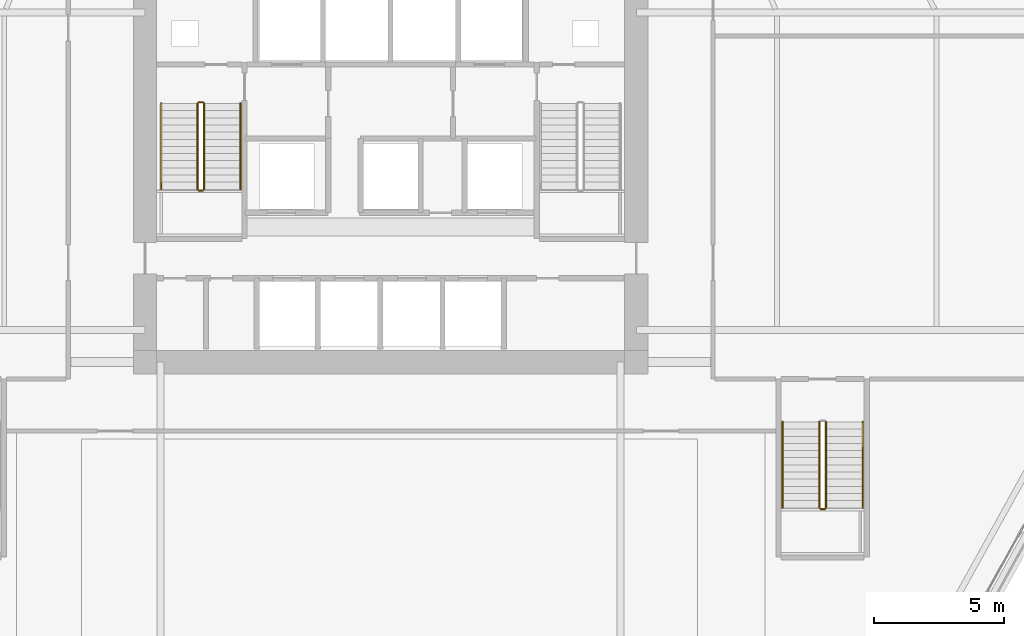
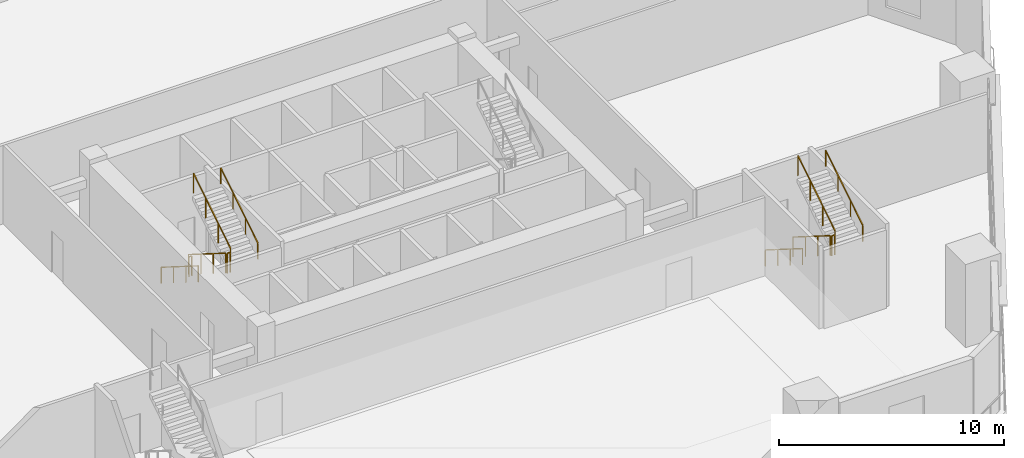
# One storey, part 19 of 21: 11 railings.
"""IFC4 building model written with IfcOpenShell, lengths in metres."""

from ifc_helpers import new_model, si_unit, direction, frame, origin, origin_2d, place, context, subcontext, project, spatial, rectangle, extrude, material, type_object, element, save


model = new_model("IFC4")

# Units and contexts
model_context = context("Model", 3, precision=1e-05, world=origin(), true_north=direction((0.0, 1.0)))
body_context = subcontext(model_context, "Body", "Model", "MODEL_VIEW")
ifc_project = project(units=[si_unit("LENGTHUNIT", "METRE"), si_unit("AREAUNIT", "SQUARE_METRE"), si_unit("VOLUMEUNIT", "CUBIC_METRE"), si_unit("PLANEANGLEUNIT", "RADIAN"), si_unit("MASSUNIT", "GRAM", prefix="KILO")], contexts=[model_context])

# Site, building, storey
site_placement = place(None, origin())
site = spatial("IfcSite", under=ifc_project, at=site_placement, CompositionType="ELEMENT")
building_placement = place(site_placement, origin())
building = spatial("IfcBuilding", under=site, at=building_placement, Name="Cinnabar Lancet Tower", CompositionType="ELEMENT")
storey_placement = place(building_placement, frame((0.0, 0.0, 6.0)))
storey = spatial("IfcBuildingStorey", under=building, at=storey_placement, Name="L01", CompositionType="ELEMENT", Elevation=6.0)

# Railings
ifc_material_1 = material(Name="Painted galvanized steel balustrade", Category="steel")
railing_type_1 = type_object("IfcRailingType", Name="GUARD-STAIR", PredefinedType="GUARDRAIL", material=ifc_material_1)
railing_1_placement = place(storey_placement, frame((24.97509765625, 28.39990234375, 0.173095703125)))
element("IfcRailing", 1, at=railing_1_placement, inside=storey, type_object=railing_type_1, Name="L01 ST-1 stair guard 1", PredefinedType="GUARDRAIL", context=body_context, shape_type="SweptSolid", body=[
    extrude(rectangle(XDim=0.048095703125, YDim=0.048095703125, at=origin_2d()), frame((0.0, 0.0, 1.076171875), z_axis=(0.0, -0.846319618018, 0.532675421018), x_axis=(1.0, 0.0, 0.0)), (0.0, 0.0, 1.0), 3.89892578125),
    extrude(rectangle(XDim=0.0419921875, YDim=0.0419921875, at=origin_2d()), origin(), (0.0, 0.0, 1.0), 1.052001953125),
    extrude(rectangle(XDim=0.0419921875, YDim=0.0419921875, at=origin_2d()), frame((0.0, -1.099853515625, 0.6923828125)), (0.0, 0.0, 1.0), 1.052001953125),
    extrude(rectangle(XDim=0.0419921875, YDim=0.0419921875, at=origin_2d()), frame((0.0, -2.199951171875, 1.384521484375)), (0.0, 0.0, 1.0), 1.052001953125),
    extrude(rectangle(XDim=0.0419921875, YDim=0.0419921875, at=origin_2d()), frame((0.0, -3.2998046875, 2.076904296875)), (0.0, 0.0, 1.0), 1.052001953125),
])
railing_2_placement = place(storey_placement, frame((25.02490234375, 25.050048828125, 2.25)))
element("IfcRailing", 2, at=railing_2_placement, inside=storey, type_object=railing_type_1, Name="L01 ST-1 stair guard 2", PredefinedType="GUARDRAIL", context=body_context, shape_type="SweptSolid", body=[
    extrude(rectangle(XDim=0.048095703125, YDim=0.048095703125, at=origin_2d()), frame((0.0, 0.0, 1.076171875), z_axis=(1.0, 0.0, 0.0), x_axis=(0.0, 1.0, 0.0)), (0.0, 0.0, 1.0), 0.150146484375),
    extrude(rectangle(XDim=0.0419921875, YDim=0.0419921875, at=origin_2d()), origin(), (0.0, 0.0, 1.0), 1.052001953125),
    extrude(rectangle(XDim=0.0419921875, YDim=0.0419921875, at=origin_2d()), frame((0.150146484375, 0.0, 0.0)), (0.0, 0.0, 1.0), 1.052001953125),
])
railing_3_placement = place(storey_placement, frame((25.22509765625, 25.10009765625, 2.423095703125)))
element("IfcRailing", 3, at=railing_3_placement, inside=storey, type_object=railing_type_1, Name="L01 ST-1 stair guard 3", PredefinedType="GUARDRAIL", context=body_context, shape_type="SweptSolid", body=[
    extrude(rectangle(XDim=0.048095703125, YDim=0.048095703125, at=origin_2d()), frame((0.0, 0.0, 1.076171875), z_axis=(0.0, 0.846319618018, 0.532675421018), x_axis=(-1.0, 0.0, 0.0)), (0.0, 0.0, 1.0), 3.89892578125),
    extrude(rectangle(XDim=0.0419921875, YDim=0.0419921875, at=origin_2d()), origin(), (0.0, 0.0, 1.0), 1.052001953125),
    extrude(rectangle(XDim=0.0419921875, YDim=0.0419921875, at=origin_2d()), frame((0.0, 1.099853515625, 0.6923828125)), (0.0, 0.0, 1.0), 1.052001953125),
    extrude(rectangle(XDim=0.0419921875, YDim=0.0419921875, at=origin_2d()), frame((0.0, 2.199951171875, 1.384521484375)), (0.0, 0.0, 1.0), 1.052001953125),
    extrude(rectangle(XDim=0.0419921875, YDim=0.0419921875, at=origin_2d()), frame((0.0, 3.2998046875, 2.076904296875)), (0.0, 0.0, 1.0), 1.052001953125),
])
railing_4_placement = place(storey_placement, frame((25.02490234375, 28.449951171875, 0.0)))
element("IfcRailing", 4, at=railing_4_placement, inside=storey, type_object=railing_type_1, Name="L01 ST-1 stair guard 4", PredefinedType="GUARDRAIL", context=body_context, shape_type="SweptSolid", body=[
    extrude(rectangle(XDim=0.048095703125, YDim=0.048095703125, at=origin_2d()), frame((0.0, 0.0, 1.076171875), z_axis=(1.0, 0.0, 0.0), x_axis=(0.0, 1.0, 0.0)), (0.0, 0.0, 1.0), 0.150146484375),
    extrude(rectangle(XDim=0.0419921875, YDim=0.0419921875, at=origin_2d()), origin(), (0.0, 0.0, 1.0), 1.052001953125),
    extrude(rectangle(XDim=0.0419921875, YDim=0.0419921875, at=origin_2d()), frame((0.150146484375, 0.0, 0.0)), (0.0, 0.0, 1.0), 1.052001953125),
])
railing_5_placement = place(storey_placement, frame((48.89501953125, 16.14990234375, 0.173095703125)))
element("IfcRailing", 5, at=railing_5_placement, inside=storey, type_object=railing_type_1, Name="L01 ST-4 stair guard 1", PredefinedType="GUARDRAIL", context=body_context, shape_type="SweptSolid", body=[
    extrude(rectangle(XDim=0.048095703125, YDim=0.048095703125, at=origin_2d()), frame((0.0, 0.0, 1.076171875), z_axis=(0.0, -0.846319618018, 0.532675421018), x_axis=(1.0, 0.0, 0.0)), (0.0, 0.0, 1.0), 3.89892578125),
    extrude(rectangle(XDim=0.0419921875, YDim=0.0419921875, at=origin_2d()), origin(), (0.0, 0.0, 1.0), 1.052001953125),
    extrude(rectangle(XDim=0.0419921875, YDim=0.0419921875, at=origin_2d()), frame((0.0, -1.099853515625, 0.6923828125)), (0.0, 0.0, 1.0), 1.052001953125),
    extrude(rectangle(XDim=0.0419921875, YDim=0.0419921875, at=origin_2d()), frame((0.0, -2.199951171875, 1.384521484375)), (0.0, 0.0, 1.0), 1.052001953125),
    extrude(rectangle(XDim=0.0419921875, YDim=0.0419921875, at=origin_2d()), frame((0.0, -3.2998046875, 2.076904296875)), (0.0, 0.0, 1.0), 1.052001953125),
])
railing_6_placement = place(storey_placement, frame((48.945068359375, 12.800048828125, 2.25)))
element("IfcRailing", 6, at=railing_6_placement, inside=storey, type_object=railing_type_1, Name="L01 ST-4 stair guard 2", PredefinedType="GUARDRAIL", context=body_context, shape_type="SweptSolid", body=[
    extrude(rectangle(XDim=0.048095703125, YDim=0.048095703125, at=origin_2d()), frame((0.0, 0.0, 1.076171875), z_axis=(1.0, 0.0, 0.0), x_axis=(0.0, 1.0, 0.0)), (0.0, 0.0, 1.0), 0.14990234375),
    extrude(rectangle(XDim=0.0419921875, YDim=0.0419921875, at=origin_2d()), origin(), (0.0, 0.0, 1.0), 1.052001953125),
    extrude(rectangle(XDim=0.0419921875, YDim=0.0419921875, at=origin_2d()), frame((0.14990234375, 0.0, 0.0)), (0.0, 0.0, 1.0), 1.052001953125),
])
railing_7_placement = place(storey_placement, frame((49.14501953125, 12.85009765625, 2.423095703125)))
element("IfcRailing", 7, at=railing_7_placement, inside=storey, type_object=railing_type_1, Name="L01 ST-4 stair guard 3", PredefinedType="GUARDRAIL", context=body_context, shape_type="SweptSolid", body=[
    extrude(rectangle(XDim=0.048095703125, YDim=0.048095703125, at=origin_2d()), frame((0.0, 0.0, 1.076171875), z_axis=(0.0, 0.846319618018, 0.532675421018), x_axis=(-1.0, 0.0, 0.0)), (0.0, 0.0, 1.0), 3.89892578125),
    extrude(rectangle(XDim=0.0419921875, YDim=0.0419921875, at=origin_2d()), origin(), (0.0, 0.0, 1.0), 1.052001953125),
    extrude(rectangle(XDim=0.0419921875, YDim=0.0419921875, at=origin_2d()), frame((0.0, 1.099853515625, 0.6923828125)), (0.0, 0.0, 1.0), 1.052001953125),
    extrude(rectangle(XDim=0.0419921875, YDim=0.0419921875, at=origin_2d()), frame((0.0, 2.199951171875, 1.384521484375)), (0.0, 0.0, 1.0), 1.052001953125),
    extrude(rectangle(XDim=0.0419921875, YDim=0.0419921875, at=origin_2d()), frame((0.0, 3.2998046875, 2.076904296875)), (0.0, 0.0, 1.0), 1.052001953125),
])
ifc_material_2 = material(Name="Brushed stainless steel handrail", Category="steel")
railing_type_2 = type_object("IfcRailingType", Name="HANDRAIL-STAIR", PredefinedType="HANDRAIL", material=ifc_material_2)
railing_8_placement = place(storey_placement, frame((23.574951171875, 28.39990234375, 0.173095703125)))
element("IfcRailing", 8, at=railing_8_placement, inside=storey, type_object=railing_type_2, Name="L01 ST-1 stair handrail 1", PredefinedType="HANDRAIL", context=body_context, shape_type="SweptSolid", body=[
    extrude(rectangle(XDim=0.048095703125, YDim=0.048095703125, at=origin_2d()), frame((0.0, 0.0, 0.8759765625), z_axis=(0.0, -0.846319618018, 0.532675421018), x_axis=(1.0, 0.0, 0.0)), (0.0, 0.0, 1.0), 3.89892578125),
    extrude(rectangle(XDim=0.0419921875, YDim=0.0419921875, at=origin_2d()), origin(), (0.0, 0.0, 1.0), 0.851806640625),
    extrude(rectangle(XDim=0.0419921875, YDim=0.0419921875, at=origin_2d()), frame((0.0, -1.099853515625, 0.6923828125)), (0.0, 0.0, 1.0), 0.851806640625),
    extrude(rectangle(XDim=0.0419921875, YDim=0.0419921875, at=origin_2d()), frame((0.0, -2.199951171875, 1.384521484375)), (0.0, 0.0, 1.0), 0.851806640625),
    extrude(rectangle(XDim=0.0419921875, YDim=0.0419921875, at=origin_2d()), frame((0.0, -3.2998046875, 2.076904296875)), (0.0, 0.0, 1.0), 0.851806640625),
])
railing_9_placement = place(storey_placement, frame((26.625, 25.10009765625, 2.423095703125)))
element("IfcRailing", 9, at=railing_9_placement, inside=storey, type_object=railing_type_2, Name="L01 ST-1 stair handrail 2", PredefinedType="HANDRAIL", context=body_context, shape_type="SweptSolid", body=[
    extrude(rectangle(XDim=0.048095703125, YDim=0.048095703125, at=origin_2d()), frame((0.0, 0.0, 0.8759765625), z_axis=(0.0, 0.846319618018, 0.532675421018), x_axis=(-1.0, 0.0, 0.0)), (0.0, 0.0, 1.0), 3.89892578125),
    extrude(rectangle(XDim=0.0419921875, YDim=0.0419921875, at=origin_2d()), origin(), (0.0, 0.0, 1.0), 0.851806640625),
    extrude(rectangle(XDim=0.0419921875, YDim=0.0419921875, at=origin_2d()), frame((0.0, 1.099853515625, 0.6923828125)), (0.0, 0.0, 1.0), 0.851806640625),
    extrude(rectangle(XDim=0.0419921875, YDim=0.0419921875, at=origin_2d()), frame((0.0, 2.199951171875, 1.384521484375)), (0.0, 0.0, 1.0), 0.851806640625),
    extrude(rectangle(XDim=0.0419921875, YDim=0.0419921875, at=origin_2d()), frame((0.0, 3.2998046875, 2.076904296875)), (0.0, 0.0, 1.0), 0.851806640625),
])
railing_10_placement = place(storey_placement, frame((47.47509765625, 16.14990234375, 0.173095703125)))
element("IfcRailing", 10, at=railing_10_placement, inside=storey, type_object=railing_type_2, Name="L01 ST-4 stair handrail 1", PredefinedType="HANDRAIL", context=body_context, shape_type="SweptSolid", body=[
    extrude(rectangle(XDim=0.048095703125, YDim=0.048095703125, at=origin_2d()), frame((0.0, 0.0, 0.8759765625), z_axis=(0.0, -0.846319618018, 0.532675421018), x_axis=(1.0, 0.0, 0.0)), (0.0, 0.0, 1.0), 3.89892578125),
    extrude(rectangle(XDim=0.0419921875, YDim=0.0419921875, at=origin_2d()), origin(), (0.0, 0.0, 1.0), 0.851806640625),
    extrude(rectangle(XDim=0.0419921875, YDim=0.0419921875, at=origin_2d()), frame((0.0, -1.099853515625, 0.6923828125)), (0.0, 0.0, 1.0), 0.851806640625),
    extrude(rectangle(XDim=0.0419921875, YDim=0.0419921875, at=origin_2d()), frame((0.0, -2.199951171875, 1.384521484375)), (0.0, 0.0, 1.0), 0.851806640625),
    extrude(rectangle(XDim=0.0419921875, YDim=0.0419921875, at=origin_2d()), frame((0.0, -3.2998046875, 2.076904296875)), (0.0, 0.0, 1.0), 0.851806640625),
])
railing_11_placement = place(storey_placement, frame((50.56494140625, 12.85009765625, 2.423095703125)))
element("IfcRailing", 11, at=railing_11_placement, inside=storey, type_object=railing_type_2, Name="L01 ST-4 stair handrail 2", PredefinedType="HANDRAIL", context=body_context, shape_type="SweptSolid", body=[
    extrude(rectangle(XDim=0.048095703125, YDim=0.048095703125, at=origin_2d()), frame((0.0, 0.0, 0.8759765625), z_axis=(0.0, 0.846319618018, 0.532675421018), x_axis=(-1.0, 0.0, 0.0)), (0.0, 0.0, 1.0), 3.89892578125),
    extrude(rectangle(XDim=0.0419921875, YDim=0.0419921875, at=origin_2d()), origin(), (0.0, 0.0, 1.0), 0.851806640625),
    extrude(rectangle(XDim=0.0419921875, YDim=0.0419921875, at=origin_2d()), frame((0.0, 1.099853515625, 0.6923828125)), (0.0, 0.0, 1.0), 0.851806640625),
    extrude(rectangle(XDim=0.0419921875, YDim=0.0419921875, at=origin_2d()), frame((0.0, 2.199951171875, 1.384521484375)), (0.0, 0.0, 1.0), 0.851806640625),
    extrude(rectangle(XDim=0.0419921875, YDim=0.0419921875, at=origin_2d()), frame((0.0, 3.2998046875, 2.076904296875)), (0.0, 0.0, 1.0), 0.851806640625),
])

save(model, "model.ifc")
